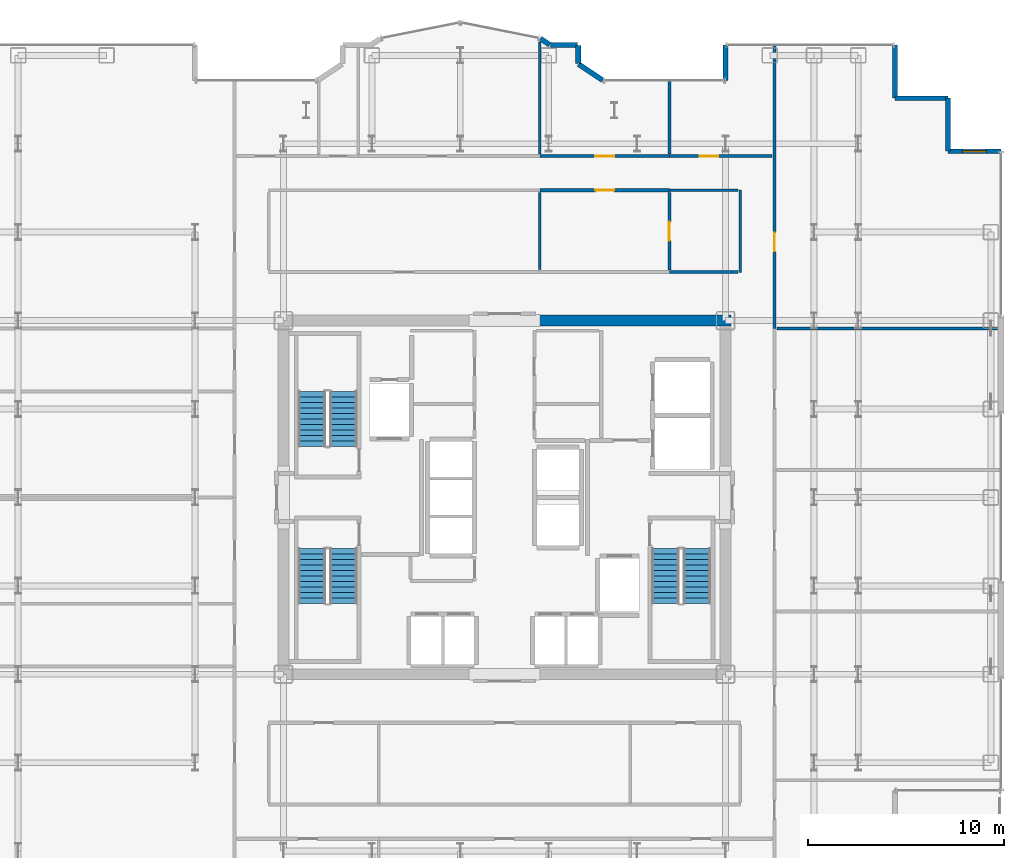
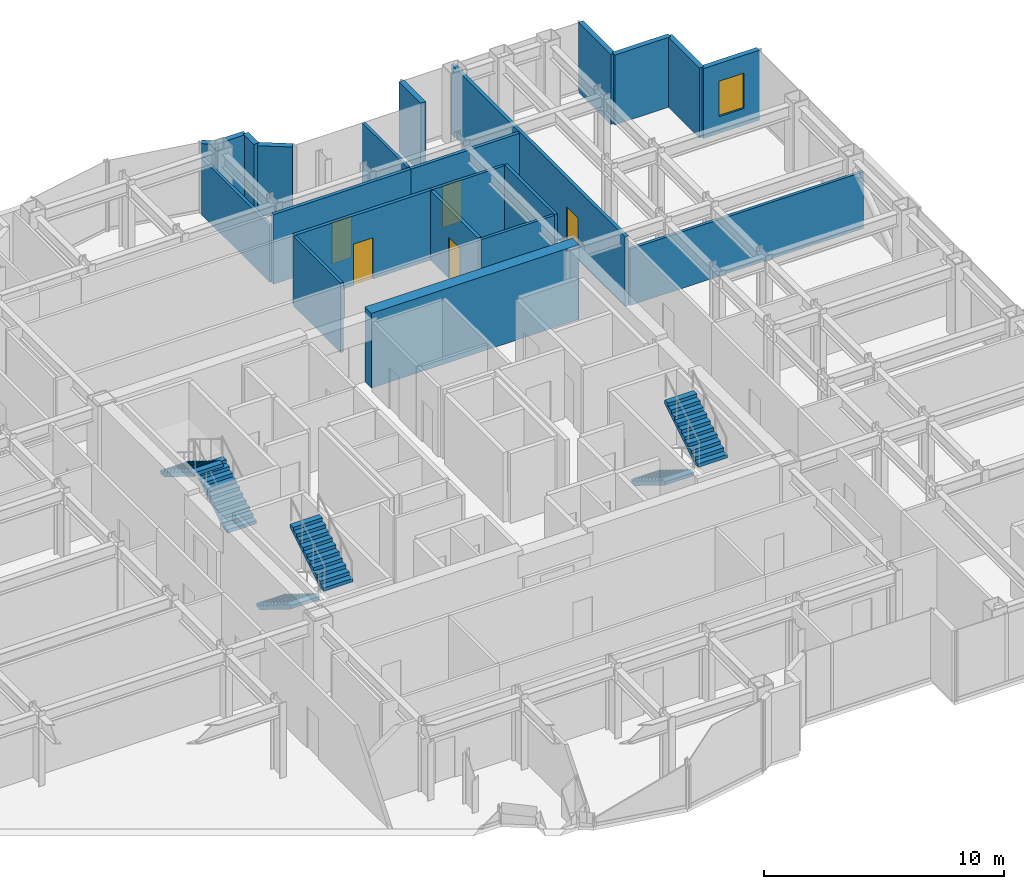
# One storey, part 25 of 27: 22 walls, 6 stair flights, 5 doors, 1 window, 6 openings, 3 elements without a shape of their own.
"""IFC4 building model written with IfcOpenShell, lengths in metres."""

from ifc_helpers import new_model, si_unit, direction, frame, frame_2d, origin, place, context, subcontext, project, spatial, polyline, rectangle, outline, extrude, source, transform, mapped, material, layer, layer_set, type_object, element, fill, aggregate, save


model = new_model("IFC4")

# Units and contexts
model_context = context("Model", 3, precision=1e-05, world=origin(), true_north=direction((0.0, 1.0)))
body_context = subcontext(model_context, "Body", "Model", "MODEL_VIEW")
ifc_project = project(units=[si_unit("LENGTHUNIT", "METRE"), si_unit("AREAUNIT", "SQUARE_METRE"), si_unit("VOLUMEUNIT", "CUBIC_METRE"), si_unit("PLANEANGLEUNIT", "RADIAN"), si_unit("MASSUNIT", "GRAM", prefix="KILO")], contexts=[model_context])

# Site, building, storey
site_placement = place(None, origin())
site = spatial("IfcSite", under=ifc_project, at=site_placement, CompositionType="ELEMENT")
building_placement = place(site_placement, origin())
building = spatial("IfcBuilding", under=site, at=building_placement, Name="Nefas-Gora Pilgrimage Tower", CompositionType="ELEMENT")
storey_placement = place(building_placement, frame((0.0, 0.0, 183.0)))
storey = spatial("IfcBuildingStorey", under=building, at=storey_placement, Name="L45", CompositionType="ELEMENT", Elevation=183.0)

# Walls
ifc_material_1 = material(Name="Concrete C60/75", Category="concrete")
ifc_layer_1 = layer(ifc_material_1, 0.550048828125)
ifc_layer_set_1 = layer_set([ifc_layer_1], Name="Concrete C60/75")
wall_type_1 = type_object("IfcWallType", Name="SW-CORE-550", PredefinedType="SHEAR", material=ifc_layer_set_1)
shared_shape_1 = source(origin(), body_context, "Body", "SweptSolid", [
    extrude(rectangle(XDim=9.974853515625, YDim=0.550048828125, at=frame_2d((4.9873046875, 0.0))), origin(), (0.0, 0.0, 1.0), 3.800048828125),
])
wall_1_placement = place(storey_placement, frame((1.550048828125, 9.0, 0.0), z_axis=(0.0, 0.0, 1.0), x_axis=(1.0, 0.0, 0.0)))
element("IfcWall", 1, at=wall_1_placement, inside=storey, type_object=wall_type_1, Name="L45 Core Shear Wall N-East", PredefinedType="SHEAR", context=body_context, shape_type="MappedRepresentation", body=[
    mapped(shared_shape_1, transform((0.0, 0.0, 0.0), x_axis=(1.0, 0.0, 0.0), y_axis=(0.0, 1.0, 0.0), z_axis=(0.0, 0.0, 1.0), scale=1.0)),
])
ifc_material_2 = material(Name="Precast concrete C40/50", Category="concrete")
ifc_layer_2 = layer(ifc_material_2, 0.260009765625)
ifc_layer_set_2 = layer_set([ifc_layer_2], Name="Precast concrete C40/50")
wall_type_2 = type_object("IfcWallType", Name="EW-PORTAL-260", PredefinedType="SOLIDWALL", material=ifc_layer_set_2)
shared_shape_2 = source(origin(), body_context, "Body", "SweptSolid", [
    extrude(rectangle(XDim=1.800048828125, YDim=0.260009765625, at=frame_2d((0.89990234375, 0.0))), origin(), (0.0, 0.0, 1.0), 3.550048828125),
])
wall_2_placement = place(storey_placement, frame((11.25, 23.02001953125, 0.0), z_axis=(0.0, 0.0, 1.0), x_axis=(0.0, -1.0, 0.0)))
element("IfcWall", 2, at=wall_2_placement, inside=storey, type_object=wall_type_2, Name="L45 Lobe Shoulder Precast Spandrel Pier 13", PredefinedType="SOLIDWALL", context=body_context, shape_type="MappedRepresentation", body=[
    mapped(shared_shape_2, transform((0.0, 0.0, 0.0), x_axis=(1.0, 0.0, 0.0), y_axis=(0.0, 1.0, 0.0), z_axis=(0.0, 0.0, 1.0), scale=1.0)),
])

# Wall, opening, window
ifc_material_3 = material(Name="Precast concrete C45/55", Category="concrete")
ifc_layer_3 = layer(ifc_material_3, 0.239990234375)
ifc_layer_set_3 = layer_set([ifc_layer_3], Name="Precast concrete C45/55")
wall_type_3 = type_object("IfcWallType", Name="EW-SERR-240", PredefinedType="SHEAR", material=ifc_layer_set_3)
shared_shape_3 = source(origin(), body_context, "Body", "SweptSolid", [
    extrude(rectangle(XDim=2.699951171875, YDim=0.239990234375, at=frame_2d((1.35009765625, 0.0))), origin(), (0.0, 0.0, 1.0), 3.550048828125),
])
wall_3_placement = place(storey_placement, frame((25.27001953125, 17.6201171875, 0.0), z_axis=(0.0, 0.0, 1.0), x_axis=(-1.0, 0.0, 0.0)))
wall_3 = element("IfcWall", 3, at=wall_3_placement, inside=storey, type_object=wall_type_3, Name="L45 Serrated Corner Shear Pier Wall 9", PredefinedType="SHEAR", context=body_context, shape_type="MappedRepresentation", body=[
    mapped(shared_shape_3, transform((0.0, 0.0, 0.0), x_axis=(1.0, 0.0, 0.0), y_axis=(0.0, 1.0, 0.0), z_axis=(0.0, 0.0, 1.0), scale=1.0)),
])
opening_1_placement = place(wall_3_placement, frame((0.75, 0.0, 0.85009765625)))
opening_1 = element("IfcOpeningElement", 4, at=opening_1_placement, cuts=wall_3, Name="Opening W-V1", PredefinedType="OPENING", context=body_context, shape_type="SweptSolid", body=[
    extrude(rectangle(XDim=1.199951171875, YDim=1.800048828125, at=frame_2d((0.60009765625, 0.89990234375))), frame((0.0, 0.1298828125, 0.0), z_axis=(0.0, -1.0, 0.0), x_axis=(1.0, 0.0, 0.0)), (0.0, 0.0, 1.0), 0.260009765625),
])
ifc_material_4 = material(Name="Dark ceramic-fritted operable aluminium-glass window", Category="aluminium")
window_type = type_object("IfcWindowType", Name="WIN-VENT-1200x1800", PartitioningType="SINGLE_PANEL", PredefinedType="WINDOW", material=ifc_material_4)
shared_shape_4 = source(origin(), body_context, "Body", "SweptSolid", [
    extrude(rectangle(XDim=1.199951171875, YDim=1.800048828125, at=frame_2d((0.60009765625, 0.89990234375))), frame((0.0, 0.030029296875, 0.0), z_axis=(0.0, -1.0, 0.0), x_axis=(1.0, 0.0, 0.0)), (0.0, 0.0, 1.0), 0.06005859375),
])
window_placement = place(opening_1_placement, origin())
window = element("IfcWindow", 5, at=window_placement, inside=storey, type_object=window_type, Name="L45 Operable Parallel-Outswing Window 9", OverallHeight=1.800048828125, OverallWidth=1.199951171875, PartitioningType="SINGLE_PANEL", PredefinedType="WINDOW", context=body_context, shape_type="MappedRepresentation", body=[
    mapped(shared_shape_4, transform((0.0, 0.0, 0.0), x_axis=(1.0, 0.0, 0.0), y_axis=(0.0, 1.0, 0.0), z_axis=(0.0, 0.0, 1.0), scale=1.0)),
])
fill(opening_1, window)

# Walls
for number, where, z_axis, x_axis, name in (
    (6, (22.570068359375, 17.6201171875, 0.0), (0.0, 0.0, 1.0), (0.0, 1.0, 0.0), "L45 Serrated Corner Shear Pier Wall 10"),
    (7, (22.570068359375, 20.320068359375, 0.0), (0.0, 0.0, 1.0), (-1.0, 0.0, 0.0), "L45 Serrated Corner Shear Pier Wall 11"),
    (8, (19.8701171875, 20.320068359375, 0.0), (0.0, 0.0, 1.0), (0.0, 1.0, 0.0), "L45 Serrated Corner Shear Pier Wall 12"),
):
    element("IfcWall", number, at=place(storey_placement, frame(where, z_axis=z_axis, x_axis=x_axis)), inside=storey, type_object=wall_type_3, Name=name, PredefinedType="SHEAR", context=body_context, shape_type="MappedRepresentation", body=[
        mapped(shared_shape_3, transform((0.0, 0.0, 0.0), x_axis=(1.0, 0.0, 0.0), y_axis=(0.0, 1.0, 0.0), z_axis=(0.0, 0.0, 1.0), scale=1.0)),
    ])
shared_shape_5 = source(origin(), body_context, "Body", "SweptSolid", [
    extrude(rectangle(XDim=1.468994140625, YDim=0.260009765625, at=frame_2d((0.734375, 0.0))), origin(), (0.0, 0.0, 1.0), 3.550048828125),
])
wall_4_placement = place(storey_placement, frame((4.99462890625, 21.235595703125, 0.0), z_axis=(0.0, 0.0, 1.0), x_axis=(-0.831461760506, 0.555581983884, 0.0)))
element("IfcWall", 9, at=wall_4_placement, inside=storey, type_object=wall_type_2, Name="L45 Lobe Shoulder Precast Spandrel Pier 14", PredefinedType="SOLIDWALL", context=body_context, shape_type="MappedRepresentation", body=[
    mapped(shared_shape_5, transform((0.0, 0.0, 0.0), x_axis=(1.0, 0.0, 0.0), y_axis=(0.0, 1.0, 0.0), z_axis=(0.0, 0.0, 1.0), scale=1.0)),
])
shared_shape_6 = source(origin(), body_context, "Body", "SweptSolid", [
    extrude(rectangle(XDim=0.896728515625, YDim=0.260009765625, at=frame_2d((0.4482421875, 0.0))), origin(), (0.0, 0.0, 1.0), 3.550048828125),
])
wall_5_placement = place(storey_placement, frame((3.75, 22.09521484375, 0.0), z_axis=(0.0, 0.0, 1.0), x_axis=(0.0, 1.0, 0.0)))
element("IfcWall", 10, at=wall_5_placement, inside=storey, type_object=wall_type_2, Name="L45 Lobe Shoulder Precast Spandrel Pier 15", PredefinedType="SOLIDWALL", context=body_context, shape_type="MappedRepresentation", body=[
    mapped(shared_shape_6, transform((0.0, 0.0, 0.0), x_axis=(1.0, 0.0, 0.0), y_axis=(0.0, 1.0, 0.0), z_axis=(0.0, 0.0, 1.0), scale=1.0)),
])
shared_shape_7 = source(origin(), body_context, "Body", "SweptSolid", [
    extrude(rectangle(XDim=1.369873046875, YDim=0.260009765625, at=frame_2d((0.68505859375, 0.0))), origin(), (0.0, 0.0, 1.0), 3.550048828125),
])
wall_6_placement = place(storey_placement, frame((3.721923828125, 23.02001953125, 0.0), z_axis=(0.0, 0.0, 1.0), x_axis=(-1.0, 0.0, 0.0)))
element("IfcWall", 11, at=wall_6_placement, inside=storey, type_object=wall_type_2, Name="L45 Lobe Shoulder Precast Spandrel Pier 16", PredefinedType="SOLIDWALL", context=body_context, shape_type="MappedRepresentation", body=[
    mapped(shared_shape_7, transform((0.0, 0.0, 0.0), x_axis=(1.0, 0.0, 0.0), y_axis=(0.0, 1.0, 0.0), z_axis=(0.0, 0.0, 1.0), scale=1.0)),
])
shared_shape_8 = source(origin(), body_context, "Body", "SweptSolid", [
    extrude(rectangle(XDim=0.5654296875, YDim=0.260009765625, at=frame_2d((0.28271484375, 0.0))), origin(), (0.0, 0.0, 1.0), 3.550048828125),
])
wall_7_placement = place(storey_placement, frame((2.30078125, 23.03564453125, 0.0), z_axis=(0.0, 0.0, 1.0), x_axis=(-0.831651492666, 0.555297933317, 0.0)))
element("IfcWall", 12, at=wall_7_placement, inside=storey, type_object=wall_type_2, Name="L45 Lobe Shoulder Precast Spandrel Pier 17", PredefinedType="SOLIDWALL", context=body_context, shape_type="MappedRepresentation", body=[
    mapped(shared_shape_8, transform((0.0, 0.0, 0.0), x_axis=(1.0, 0.0, 0.0), y_axis=(0.0, 1.0, 0.0), z_axis=(0.0, 0.0, 1.0), scale=1.0)),
])

# Wall, opening, door
ifc_material_5 = material(Name="Gypsum acoustic stud partition")
ifc_layer_4 = layer(ifc_material_5, 0.159912109375)
ifc_layer_set_4 = layer_set([ifc_layer_4], Name="Gypsum acoustic stud partition")
wall_type_4 = type_object("IfcWallType", Name="IW-CORR-160", PredefinedType="PARTITIONING", material=ifc_layer_set_4)
shared_shape_9 = source(origin(), body_context, "Body", "SweptSolid", [
    extrude(rectangle(XDim=5.22509765625, YDim=0.159912109375, at=frame_2d((2.612548828125, 0.0))), origin(), (0.0, 0.0, 1.0), 3.534912109375),
])
wall_8_placement = place(storey_placement, frame((8.39501953125, 17.3701171875, 0.0), z_axis=(0.0, 0.0, 1.0), x_axis=(1.0, 0.0, 0.0)))
wall_8 = element("IfcWall", 13, at=wall_8_placement, inside=storey, type_object=wall_type_4, Name="L45 Pilgrim Contemplative Lounge Partition Wall 64", PredefinedType="PARTITIONING", context=body_context, shape_type="MappedRepresentation", body=[
    mapped(shared_shape_9, transform((0.0, 0.0, 0.0), x_axis=(1.0, 0.0, 0.0), y_axis=(0.0, 1.0, 0.0), z_axis=(0.0, 0.0, 1.0), scale=1.0)),
])
opening_2_placement = place(wall_8_placement, frame((1.543212890625, 0.0, 0.0)))
opening_2 = element("IfcOpeningElement", 14, at=opening_2_placement, cuts=wall_8, Name="Opening ID-GR1", PredefinedType="OPENING", context=body_context, shape_type="SweptSolid", body=[
    extrude(rectangle(XDim=0.949951171875, YDim=2.10009765625, at=frame_2d((0.47509765625, 1.050048828125))), frame((0.0, 0.08984375, 0.0), z_axis=(0.0, -1.0, 0.0), x_axis=(1.0, 0.0, 0.0)), (0.0, 0.0, 1.0), 0.179931640625),
])
ifc_material_6 = material(Name="Solid core oak fire-rated guest entrance door")
door_type = type_object("IfcDoorType", Name="DR-INT-GUEST-950", OperationType="NOTDEFINED", PredefinedType="DOOR", material=ifc_material_6)
shared_shape_10 = source(origin(), body_context, "Body", "SweptSolid", [
    extrude(rectangle(XDim=0.949951171875, YDim=2.10009765625, at=frame_2d((0.47509765625, 1.050048828125))), frame((0.0, 0.02490234375, 0.0), z_axis=(0.0, -1.0, 0.0), x_axis=(1.0, 0.0, 0.0)), (0.0, 0.0, 1.0), 0.050048828125),
])
door_1_placement = place(opening_2_placement, origin())
door_1 = element("IfcDoor", 15, at=door_1_placement, inside=storey, type_object=door_type, Name="L45 Pilgrim Contemplative Lounge Door 30", OperationType="SINGLE_SWING_LEFT", OverallHeight=2.10009765625, OverallWidth=0.949951171875, PredefinedType="DOOR", context=body_context, shape_type="MappedRepresentation", body=[
    mapped(shared_shape_10, transform((0.0, 0.0, 0.0), x_axis=(1.0, 0.0, 0.0), y_axis=(0.0, 1.0, 0.0), z_axis=(0.0, 0.0, 1.0), scale=1.0)),
])
fill(opening_2, door_1)

shared_shape_11 = source(origin(), body_context, "Body", "SweptSolid", [
    extrude(rectangle(XDim=14.45263671875, YDim=0.159912109375, at=frame_2d((7.226318359375, 0.0))), origin(), (0.0, 0.0, 1.0), 3.534912109375),
])
wall_9_placement = place(storey_placement, frame((13.739990234375, 8.58740234375, 0.0), z_axis=(0.0, 0.0, 1.0), x_axis=(0.0, 1.0, 0.0)))
wall_9 = element("IfcWall", 16, at=wall_9_placement, inside=storey, type_object=wall_type_4, Name="L45 Pilgrim Contemplative Lounge Partition Wall 47", PredefinedType="PARTITIONING", context=body_context, shape_type="MappedRepresentation", body=[
    mapped(shared_shape_11, transform((0.0, 0.0, 0.0), x_axis=(1.0, 0.0, 0.0), y_axis=(0.0, 1.0, 0.0), z_axis=(0.0, 0.0, 1.0), scale=1.0)),
])
opening_3_placement = place(wall_9_placement, frame((3.936279296875, 0.0, 0.0)))
opening_3 = element("IfcOpeningElement", 17, at=opening_3_placement, cuts=wall_9, Name="Opening ID-GR1", PredefinedType="OPENING", context=body_context, shape_type="SweptSolid", body=[
    extrude(rectangle(XDim=0.949951171875, YDim=2.10009765625, at=frame_2d((0.47509765625, 1.050048828125))), frame((0.0, 0.08984375, 0.0), z_axis=(0.0, -1.0, 0.0), x_axis=(1.0, 0.0, 0.0)), (0.0, 0.0, 1.0), 0.179931640625),
])
door_2_placement = place(opening_3_placement, origin())
door_2 = element("IfcDoor", 18, at=door_2_placement, inside=storey, type_object=door_type, Name="L45 Pilgrim Contemplative Lounge Door 21", OperationType="SINGLE_SWING_RIGHT", OverallHeight=2.10009765625, OverallWidth=0.949951171875, PredefinedType="DOOR", context=body_context, shape_type="MappedRepresentation", body=[
    mapped(shared_shape_10, transform((0.0, 0.0, 0.0), x_axis=(1.0, 0.0, 0.0), y_axis=(0.0, 1.0, 0.0), z_axis=(0.0, 0.0, 1.0), scale=1.0)),
])
fill(opening_3, door_2)

shared_shape_12 = source(origin(), body_context, "Body", "SweptSolid", [
    extrude(rectangle(XDim=6.610107421875, YDim=0.159912109375, at=frame_2d((3.30517578125, 0.0))), origin(), (0.0, 0.0, 1.0), 3.534912109375),
])
wall_10_placement = place(storey_placement, frame((1.794921875, 17.3701171875, 0.0), z_axis=(0.0, 0.0, 1.0), x_axis=(1.0, 0.0, 0.0)))
wall_10 = element("IfcWall", 19, at=wall_10_placement, inside=storey, type_object=wall_type_4, Name="L45 Pilgrim Contemplative Lounge Partition Wall 59", PredefinedType="PARTITIONING", context=body_context, shape_type="MappedRepresentation", body=[
    mapped(shared_shape_12, transform((0.0, 0.0, 0.0), x_axis=(1.0, 0.0, 0.0), y_axis=(0.0, 1.0, 0.0), z_axis=(0.0, 0.0, 1.0), scale=1.0)),
])
opening_4_placement = place(wall_10_placement, frame((2.830078125, 0.0, 0.0)))
opening_4 = element("IfcOpeningElement", 20, at=opening_4_placement, cuts=wall_10, Name="Opening ID-GR1", PredefinedType="OPENING", context=body_context, shape_type="SweptSolid", body=[
    extrude(rectangle(XDim=0.949951171875, YDim=2.10009765625, at=frame_2d((0.47509765625, 1.050048828125))), frame((0.0, 0.08984375, 0.0), z_axis=(0.0, -1.0, 0.0), x_axis=(1.0, 0.0, 0.0)), (0.0, 0.0, 1.0), 0.179931640625),
])
door_3_placement = place(opening_4_placement, origin())
door_3 = element("IfcDoor", 21, at=door_3_placement, inside=storey, type_object=door_type, Name="L45 Pilgrim Contemplative Lounge Door 27", OperationType="SINGLE_SWING_RIGHT", OverallHeight=2.10009765625, OverallWidth=0.949951171875, PredefinedType="DOOR", context=body_context, shape_type="MappedRepresentation", body=[
    mapped(shared_shape_10, transform((0.0, 0.0, 0.0), x_axis=(1.0, 0.0, 0.0), y_axis=(0.0, 1.0, 0.0), z_axis=(0.0, 0.0, 1.0), scale=1.0)),
])
fill(opening_4, door_3)

wall_11_placement = place(storey_placement, frame((1.794921875, 15.6298828125, 0.0), z_axis=(0.0, 0.0, 1.0), x_axis=(1.0, 0.0, 0.0)))
wall_11 = element("IfcWall", 22, at=wall_11_placement, inside=storey, type_object=wall_type_4, Name="L45 Pastoral Chaplains Counselling Office Partition Wall 61", PredefinedType="PARTITIONING", context=body_context, shape_type="MappedRepresentation", body=[
    mapped(shared_shape_12, transform((0.0, 0.0, 0.0), x_axis=(1.0, 0.0, 0.0), y_axis=(0.0, 1.0, 0.0), z_axis=(0.0, 0.0, 1.0), scale=1.0)),
])
opening_5_placement = place(wall_11_placement, frame((2.830078125, 0.0, 0.0)))
opening_5 = element("IfcOpeningElement", 23, at=opening_5_placement, cuts=wall_11, Name="Opening ID-GR1", PredefinedType="OPENING", context=body_context, shape_type="SweptSolid", body=[
    extrude(rectangle(XDim=0.949951171875, YDim=2.10009765625, at=frame_2d((0.47509765625, 1.050048828125))), frame((0.0, 0.08984375, 0.0), z_axis=(0.0, -1.0, 0.0), x_axis=(1.0, 0.0, 0.0)), (0.0, 0.0, 1.0), 0.179931640625),
])
door_4_placement = place(opening_5_placement, origin())
door_4 = element("IfcDoor", 24, at=door_4_placement, inside=storey, type_object=door_type, Name="L45 Pastoral Chaplains Counselling Office Door 28", OperationType="SINGLE_SWING_LEFT", OverallHeight=2.10009765625, OverallWidth=0.949951171875, PredefinedType="DOOR", context=body_context, shape_type="MappedRepresentation", body=[
    mapped(shared_shape_10, transform((0.0, 0.0, 0.0), x_axis=(1.0, 0.0, 0.0), y_axis=(0.0, 1.0, 0.0), z_axis=(0.0, 0.0, 1.0), scale=1.0)),
])
fill(opening_5, door_4)

# Walls
ifc_material_7 = material(Name="Gypsum twin-stud partition")
ifc_layer_5 = layer(ifc_material_7, 0.139892578125)
ifc_layer_set_5 = layer_set([ifc_layer_5], Name="Gypsum twin-stud partition")
wall_type_5 = type_object("IfcWallType", Name="IW-UNIT-140", PredefinedType="PARTITIONING", material=ifc_layer_set_5)
shared_shape_13 = source(origin(), body_context, "Body", "SweptSolid", [
    extrude(rectangle(XDim=11.219970703125, YDim=0.139892578125, at=frame_2d((5.60986328125, 0.0))), origin(), (0.0, 0.0, 1.0), 2.875),
])
wall_12_placement = place(storey_placement, frame((13.860107421875, 8.597412109375, 0.0), z_axis=(0.0, 0.0, 1.0), x_axis=(1.0, 0.0, 0.0)))
element("IfcWall", 25, at=wall_12_placement, inside=storey, type_object=wall_type_5, Name="L45 Pilgrim Contemplative Lounge Partition Wall 48", PredefinedType="PARTITIONING", context=body_context, shape_type="MappedRepresentation", body=[
    mapped(shared_shape_13, transform((0.0, 0.0, 0.0), x_axis=(1.0, 0.0, 0.0), y_axis=(0.0, 1.0, 0.0), z_axis=(0.0, 0.0, 1.0), scale=1.0)),
])
shared_shape_14 = source(origin(), body_context, "Body", "SweptSolid", [
    extrude(rectangle(XDim=3.929931640625, YDim=0.139892578125, at=frame_2d((1.96484375, 0.0))), origin(), (0.0, 0.0, 1.0), 3.534912109375),
])
wall_13_placement = place(storey_placement, frame((1.794921875, 11.590087890625, 0.0), z_axis=(0.0, 0.0, 1.0), x_axis=(0.0, 1.0, 0.0)))
element("IfcWall", 26, at=wall_13_placement, inside=storey, type_object=wall_type_5, Name="L45 Pilgrim Contemplative Lounge Partition Wall 55", PredefinedType="PARTITIONING", context=body_context, shape_type="MappedRepresentation", body=[
    mapped(shared_shape_14, transform((0.0, 0.0, 0.0), x_axis=(1.0, 0.0, 0.0), y_axis=(0.0, 1.0, 0.0), z_axis=(0.0, 0.0, 1.0), scale=1.0)),
])
shared_shape_15 = source(origin(), body_context, "Body", "SweptSolid", [
    extrude(rectangle(XDim=3.75, YDim=0.139892578125, at=frame_2d((1.875, 0.0))), origin(), (0.0, 0.0, 1.0), 3.534912109375),
])
wall_14_placement = place(storey_placement, frame((8.39501953125, 17.489990234375, 0.0), z_axis=(0.0, 0.0, 1.0), x_axis=(0.0, 1.0, 0.0)))
element("IfcWall", 27, at=wall_14_placement, inside=storey, type_object=wall_type_5, Name="L45 Pilgrim Contemplative Lounge Partition Wall 60", PredefinedType="PARTITIONING", context=body_context, shape_type="MappedRepresentation", body=[
    mapped(shared_shape_15, transform((0.0, 0.0, 0.0), x_axis=(1.0, 0.0, 0.0), y_axis=(0.0, 1.0, 0.0), z_axis=(0.0, 0.0, 1.0), scale=1.0)),
])

# Wall, opening, door
shared_shape_16 = source(origin(), body_context, "Body", "SweptSolid", [
    extrude(rectangle(XDim=3.929931640625, YDim=0.159912109375, at=frame_2d((1.96484375, 0.0))), origin(), (0.0, 0.0, 1.0), 3.534912109375),
])
wall_15_placement = place(storey_placement, frame((8.39501953125, 11.580078125, 0.0), z_axis=(0.0, 0.0, 1.0), x_axis=(0.0, 1.0, 0.0)))
wall_15 = element("IfcWall", 28, at=wall_15_placement, inside=storey, type_object=wall_type_4, Name="L45 Pastoral Chaplains Counselling Office Partition Wall 63", PredefinedType="PARTITIONING", context=body_context, shape_type="MappedRepresentation", body=[
    mapped(shared_shape_16, transform((0.0, 0.0, 0.0), x_axis=(1.0, 0.0, 0.0), y_axis=(0.0, 1.0, 0.0), z_axis=(0.0, 0.0, 1.0), scale=1.0)),
])
opening_6_placement = place(wall_15_placement, frame((1.489990234375, 0.0, 0.0)))
opening_6 = element("IfcOpeningElement", 29, at=opening_6_placement, cuts=wall_15, Name="Opening ID-GR1", PredefinedType="OPENING", context=body_context, shape_type="SweptSolid", body=[
    extrude(rectangle(XDim=0.949951171875, YDim=2.10009765625, at=frame_2d((0.47509765625, 1.050048828125))), frame((0.0, 0.08984375, 0.0), z_axis=(0.0, -1.0, 0.0), x_axis=(1.0, 0.0, 0.0)), (0.0, 0.0, 1.0), 0.179931640625),
])
door_5_placement = place(opening_6_placement, origin())
door_5 = element("IfcDoor", 30, at=door_5_placement, inside=storey, type_object=door_type, Name="L45 Scripture Reading Study Door 29", OperationType="SINGLE_SWING_RIGHT", OverallHeight=2.10009765625, OverallWidth=0.949951171875, PredefinedType="DOOR", context=body_context, shape_type="MappedRepresentation", body=[
    mapped(shared_shape_10, transform((0.0, 0.0, 0.0), x_axis=(1.0, 0.0, 0.0), y_axis=(0.0, 1.0, 0.0), z_axis=(0.0, 0.0, 1.0), scale=1.0)),
])
fill(opening_6, door_5)

# Walls
shared_shape_17 = source(origin(), body_context, "Body", "SweptSolid", [
    extrude(rectangle(XDim=4.179931640625, YDim=0.139892578125, at=frame_2d((2.08984375, 0.0))), origin(), (0.0, 0.0, 1.0), 3.534912109375),
])
wall_16_placement = place(storey_placement, frame((12.0, 11.4599609375, 0.0), z_axis=(0.0, 0.0, 1.0), x_axis=(0.0, 1.0, 0.0)))
element("IfcWall", 31, at=wall_16_placement, inside=storey, type_object=wall_type_5, Name="L45 Scripture Reading Study Partition Wall 65", PredefinedType="PARTITIONING", context=body_context, shape_type="MappedRepresentation", body=[
    mapped(shared_shape_17, transform((0.0, 0.0, 0.0), x_axis=(1.0, 0.0, 0.0), y_axis=(0.0, 1.0, 0.0), z_axis=(0.0, 0.0, 1.0), scale=1.0)),
])
shared_shape_18 = source(origin(), body_context, "Body", "SweptSolid", [
    extrude(rectangle(XDim=3.494873046875, YDim=0.139892578125, at=frame_2d((1.74755859375, 0.0))), origin(), (0.0, 0.0, 1.0), 3.534912109375),
])
for number, where, z_axis, x_axis, name in (
    (32, (8.39501953125, 15.6298828125, 0.0), (0.0, 0.0, 1.0), (1.0, 0.0, 0.0), "L45 Scripture Reading Study Partition Wall 66"),
    (33, (8.39501953125, 11.469970703125, 0.0), (0.0, 0.0, 1.0), (1.0, 0.0, 0.0), "L45 Scripture Reading Study Partition Wall 67"),
):
    element("IfcWall", number, at=place(storey_placement, frame(where, z_axis=z_axis, x_axis=x_axis)), inside=storey, type_object=wall_type_5, Name=name, PredefinedType="PARTITIONING", context=body_context, shape_type="MappedRepresentation", body=[
        mapped(shared_shape_18, transform((0.0, 0.0, 0.0), x_axis=(1.0, 0.0, 0.0), y_axis=(0.0, 1.0, 0.0), z_axis=(0.0, 0.0, 1.0), scale=1.0)),
    ])
shared_shape_19 = source(origin(), body_context, "Body", "SweptSolid", [
    extrude(rectangle(XDim=5.681396484375, YDim=0.139892578125, at=frame_2d((2.8408203125, 0.0))), origin(), (0.0, 0.0, 1.0), 2.875),
])
wall_17_placement = place(storey_placement, frame((1.794921875, 17.489990234375, 0.0), z_axis=(0.0, 0.0, 1.0), x_axis=(0.0, 1.0, 0.0)))
element("IfcWall", 34, at=wall_17_placement, inside=storey, type_object=wall_type_5, Name="L45 Pilgrim Contemplative Lounge Partition Wall 57", PredefinedType="PARTITIONING", context=body_context, shape_type="MappedRepresentation", body=[
    mapped(shared_shape_19, transform((0.0, 0.0, 0.0), x_axis=(1.0, 0.0, 0.0), y_axis=(0.0, 1.0, 0.0), z_axis=(0.0, 0.0, 1.0), scale=1.0)),
])

# Stair, stair flights
ifc_material_8 = material(Name="Concrete C45/55", Category="concrete")
stair_type = type_object("IfcStairType", Name="STR-1400-R1727", PredefinedType="HALF_TURN_STAIR", material=ifc_material_8)
stair_1_placement = place(storey_placement, origin())
stair_1 = element("IfcStair", 35, at=stair_1_placement, inside=storey, type_object=stair_type, Name="L45 Pressurised Tower Exit Stair ST-01", PredefinedType="HALF_TURN_STAIR")
stair_flight_type = type_object("IfcStairFlightType", Name="STF-1400-R1727", PredefinedType="STRAIGHT", material=ifc_material_8)
shared_shape_20 = source(origin(), body_context, "Body", "SweptSolid", [
    extrude(outline(polyline([(0.0, 0.0), (0.0, 0.172607421875), (0.280029296875, 0.172607421875), (0.280029296875, 0.345458984375), (0.56005859375, 0.345458984375), (0.56005859375, 0.51806640625), (0.840087890625, 0.51806640625), (0.840087890625, 0.69091796875), (1.1201171875, 0.69091796875), (1.1201171875, 0.863525390625), (1.39990234375, 0.863525390625), (1.39990234375, 1.036376953125), (1.679931640625, 1.036376953125), (1.679931640625, 1.208984375), (1.9599609375, 1.208984375), (1.9599609375, 1.3818359375), (2.239990234375, 1.3818359375), (2.239990234375, 1.554443359375), (2.52001953125, 1.554443359375), (2.52001953125, 1.727294921875), (2.800048828125, 1.727294921875), (2.800048828125, 1.89990234375), (2.800048828125, 1.551025390625), (0.285400390625, 0.0), (0.0, 0.0)])), frame((0.0, 0.699951171875, 0.0), z_axis=(0.0, -1.0, 0.0), x_axis=(1.0, 0.0, 0.0)), (0.0, 0.0, 1.0), 1.39990234375),
])
stair_flight_1_placement = place(storey_placement, frame((-8.199951171875, 2.60009765625, 0.0), z_axis=(0.0, 0.0, 1.0), x_axis=(0.0, 1.0, 0.0)))
stair_flight_1 = element("IfcStairFlight", 36, at=stair_flight_1_placement, type_object=stair_flight_type, Name="ST-01 flight 1", NumberOfRisers=11, NumberOfTreads=10, PredefinedType="STRAIGHT", RiserHeight=0.172727273, TreadLength=0.28, context=body_context, shape_type="MappedRepresentation", body=[
    mapped(shared_shape_20, transform((0.0, 0.0, 0.0), x_axis=(1.0, 0.0, 0.0), y_axis=(0.0, 1.0, 0.0), z_axis=(0.0, 0.0, 1.0), scale=1.0)),
])
stair_flight_2_placement = place(storey_placement, frame((-9.800048828125, 5.39990234375, 1.89990234375), z_axis=(0.0, 0.0, 1.0), x_axis=(0.0, -1.0, 0.0)))
stair_flight_2 = element("IfcStairFlight", 37, at=stair_flight_2_placement, type_object=stair_flight_type, Name="ST-01 flight 2", NumberOfRisers=11, NumberOfTreads=10, PredefinedType="STRAIGHT", RiserHeight=0.172727273, TreadLength=0.28, context=body_context, shape_type="MappedRepresentation", body=[
    mapped(shared_shape_20, transform((0.0, 0.0, 0.0), x_axis=(1.0, 0.0, 0.0), y_axis=(0.0, 1.0, 0.0), z_axis=(0.0, 0.0, 1.0), scale=1.0)),
])
aggregate(stair_1, [stair_flight_1, stair_flight_2])

stair_2_placement = place(storey_placement, origin())
stair_2 = element("IfcStair", 38, at=stair_2_placement, inside=storey, type_object=stair_type, Name="L45 Pressurised Tower Exit Stair ST-02", PredefinedType="HALF_TURN_STAIR")
stair_flight_3_placement = place(storey_placement, frame((8.199951171875, -2.60009765625, 0.0), z_axis=(0.0, 0.0, 1.0), x_axis=(0.0, -1.0, 0.0)))
stair_flight_3 = element("IfcStairFlight", 39, at=stair_flight_3_placement, type_object=stair_flight_type, Name="ST-02 flight 1", NumberOfRisers=11, NumberOfTreads=10, PredefinedType="STRAIGHT", RiserHeight=0.172727273, TreadLength=0.28, context=body_context, shape_type="MappedRepresentation", body=[
    mapped(shared_shape_20, transform((0.0, 0.0, 0.0), x_axis=(1.0, 0.0, 0.0), y_axis=(0.0, 1.0, 0.0), z_axis=(0.0, 0.0, 1.0), scale=1.0)),
])
stair_flight_4_placement = place(storey_placement, frame((9.800048828125, -5.39990234375, 1.89990234375), z_axis=(0.0, 0.0, 1.0), x_axis=(0.0, 1.0, 0.0)))
stair_flight_4 = element("IfcStairFlight", 40, at=stair_flight_4_placement, type_object=stair_flight_type, Name="ST-02 flight 2", NumberOfRisers=11, NumberOfTreads=10, PredefinedType="STRAIGHT", RiserHeight=0.172727273, TreadLength=0.28, context=body_context, shape_type="MappedRepresentation", body=[
    mapped(shared_shape_20, transform((0.0, 0.0, 0.0), x_axis=(1.0, 0.0, 0.0), y_axis=(0.0, 1.0, 0.0), z_axis=(0.0, 0.0, 1.0), scale=1.0)),
])
aggregate(stair_2, [stair_flight_3, stair_flight_4])

stair_3_placement = place(storey_placement, origin())
stair_3 = element("IfcStair", 41, at=stair_3_placement, inside=storey, type_object=stair_type, Name="L45 Pressurised Tower Exit Stair ST-03", PredefinedType="HALF_TURN_STAIR")
stair_flight_5_placement = place(storey_placement, frame((-9.800048828125, -2.60009765625, 0.0), z_axis=(0.0, 0.0, 1.0), x_axis=(0.0, -1.0, 0.0)))
stair_flight_5 = element("IfcStairFlight", 42, at=stair_flight_5_placement, type_object=stair_flight_type, Name="ST-03 flight 1", NumberOfRisers=11, NumberOfTreads=10, PredefinedType="STRAIGHT", RiserHeight=0.172727273, TreadLength=0.28, context=body_context, shape_type="MappedRepresentation", body=[
    mapped(shared_shape_20, transform((0.0, 0.0, 0.0), x_axis=(1.0, 0.0, 0.0), y_axis=(0.0, 1.0, 0.0), z_axis=(0.0, 0.0, 1.0), scale=1.0)),
])
stair_flight_6_placement = place(storey_placement, frame((-8.199951171875, -5.39990234375, 1.89990234375), z_axis=(0.0, 0.0, 1.0), x_axis=(0.0, 1.0, 0.0)))
stair_flight_6 = element("IfcStairFlight", 43, at=stair_flight_6_placement, type_object=stair_flight_type, Name="ST-03 flight 2", NumberOfRisers=11, NumberOfTreads=10, PredefinedType="STRAIGHT", RiserHeight=0.172727273, TreadLength=0.28, context=body_context, shape_type="MappedRepresentation", body=[
    mapped(shared_shape_20, transform((0.0, 0.0, 0.0), x_axis=(1.0, 0.0, 0.0), y_axis=(0.0, 1.0, 0.0), z_axis=(0.0, 0.0, 1.0), scale=1.0)),
])
aggregate(stair_3, [stair_flight_5, stair_flight_6])

save(model, "model.ifc")
